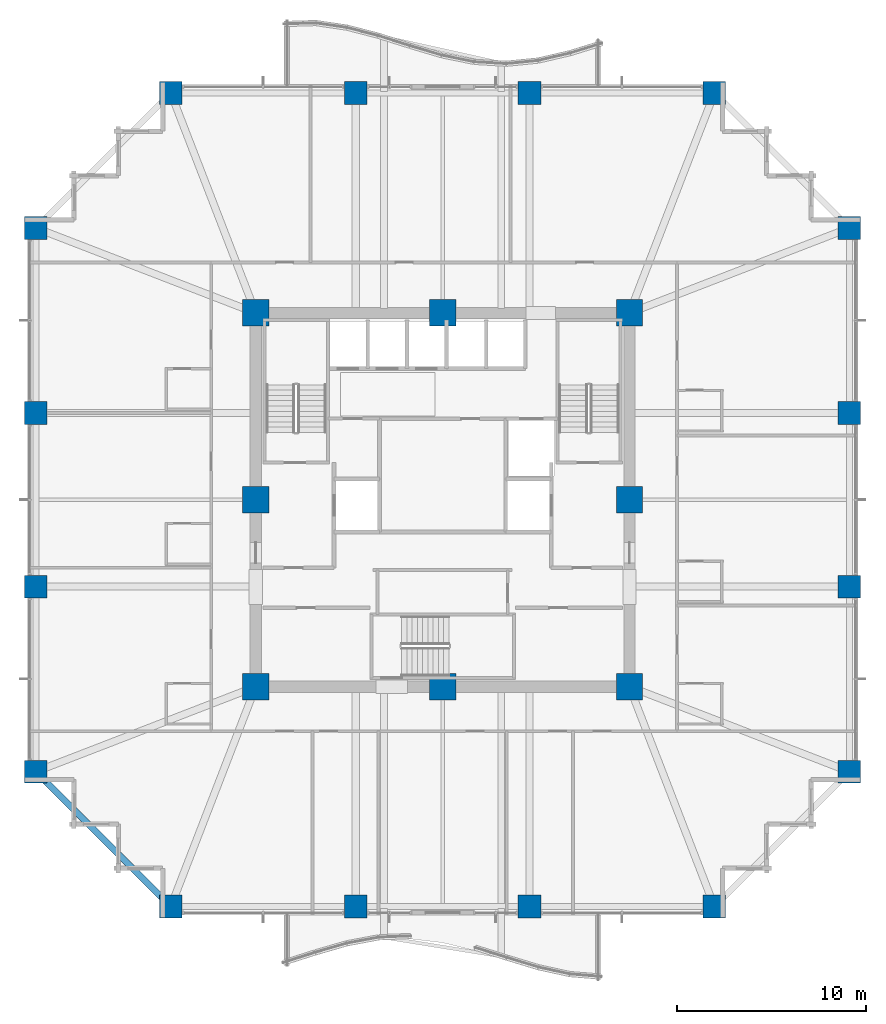
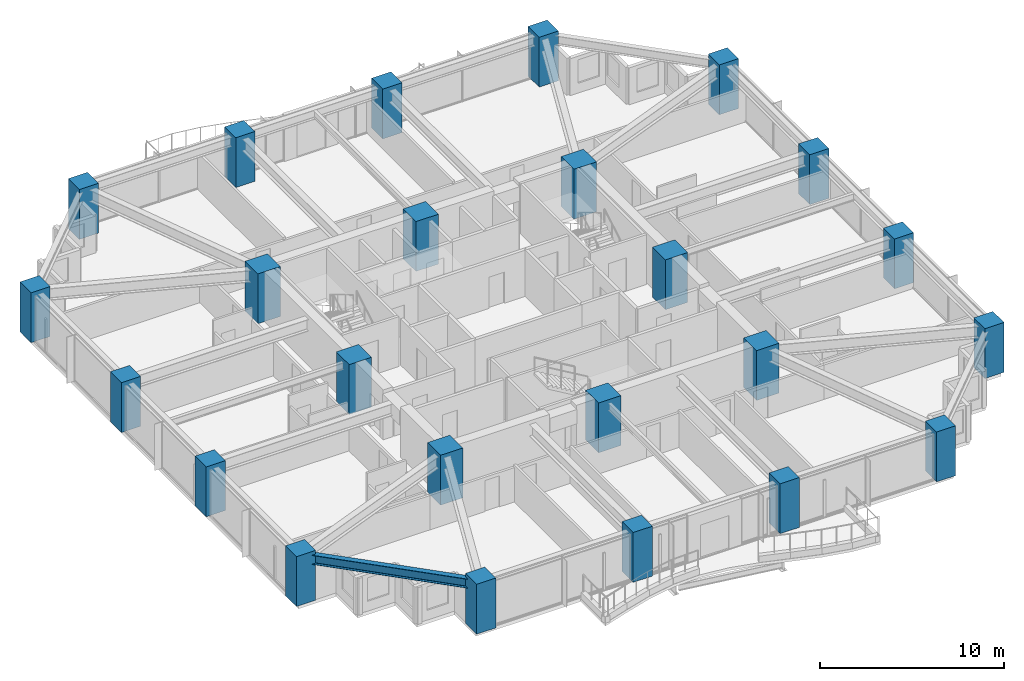
# One storey, part 1 of 38: 24 columns, 1 beam.
"""IFC4 building model written with IfcOpenShell, lengths in metres."""

from ifc_helpers import new_model, si_unit, direction, frame, origin, origin_2d, place, context, subcontext, project, spatial, rectangle, i_section, extrude, material, material_profile, profile_set, type_object, element, save


model = new_model("IFC4")

# Units and contexts
model_context = context("Model", 3, precision=1e-05, world=origin(), true_north=direction((0.0, 1.0)))
body_context = subcontext(model_context, "Body", "Model", "MODEL_VIEW")
ifc_project = project(units=[si_unit("LENGTHUNIT", "METRE"), si_unit("AREAUNIT", "SQUARE_METRE"), si_unit("VOLUMEUNIT", "CUBIC_METRE"), si_unit("PLANEANGLEUNIT", "RADIAN"), si_unit("MASSUNIT", "GRAM", prefix="KILO")], contexts=[model_context])

# Site, building, storey
site_placement = place(None, origin())
site = spatial("IfcSite", under=ifc_project, at=site_placement, CompositionType="ELEMENT")
building_placement = place(site_placement, origin())
building = spatial("IfcBuilding", under=site, at=building_placement, Name="Kolvaren Belvedere", CompositionType="ELEMENT")
storey_placement = place(building_placement, frame((0.0, 0.0, 30.39990234375)))
storey = spatial("IfcBuildingStorey", under=building, at=storey_placement, Name="L08", CompositionType="ELEMENT", Elevation=30.39990234375)

# Columns
ifc_material_1 = material(Name="Concrete C60/75", Category="concrete")
ifc_material_profile_1 = material_profile(ifc_material_1, rectangle(XDim=1.199951171875, YDim=1.199951171875, at=origin_2d()), Name="RC 1200X1200")
ifc_profile_set_1 = profile_set([ifc_material_profile_1], Name="Concrete C60/75")
column_type_1 = type_object("IfcColumnType", Name="COL-RC-1200", PredefinedType="COLUMN", material=ifc_profile_set_1)
for number, where, z_axis, x_axis, name in (
    (1, (-14.39990234375, -21.550048828125, 0.0), (0.0, 0.0, 1.0), (1.0, 0.0, 0.0), "L08 Perimeter Column S1"),
    (2, (-4.60009765625, -21.550048828125, 0.0), (0.0, 0.0, 1.0), (1.0, 0.0, 0.0), "L08 Perimeter Column S2"),
    (3, (4.60009765625, -21.550048828125, 0.0), (0.0, 0.0, 1.0), (1.0, 0.0, 0.0), "L08 Perimeter Column S3"),
    (4, (14.39990234375, -21.550048828125, 0.0), (0.0, 0.0, 1.0), (1.0, 0.0, 0.0), "L08 Perimeter Column S4"),
    (5, (-14.39990234375, 21.550048828125, 0.0), (0.0, 0.0, 1.0), (1.0, 0.0, 0.0), "L08 Perimeter Column N1"),
    (6, (-4.60009765625, 21.550048828125, 0.0), (0.0, 0.0, 1.0), (1.0, 0.0, 0.0), "L08 Perimeter Column N2"),
    (7, (4.60009765625, 21.550048828125, 0.0), (0.0, 0.0, 1.0), (1.0, 0.0, 0.0), "L08 Perimeter Column N3"),
    (8, (14.39990234375, 21.550048828125, 0.0), (0.0, 0.0, 1.0), (1.0, 0.0, 0.0), "L08 Perimeter Column N4"),
    (9, (-21.550048828125, -14.39990234375, 0.0), (0.0, 0.0, 1.0), (1.0, 0.0, 0.0), "L08 Perimeter Column W1"),
    (10, (-21.550048828125, -4.60009765625, 0.0), (0.0, 0.0, 1.0), (1.0, 0.0, 0.0), "L08 Perimeter Column W2"),
    (11, (-21.550048828125, 4.60009765625, 0.0), (0.0, 0.0, 1.0), (1.0, 0.0, 0.0), "L08 Perimeter Column W3"),
    (12, (-21.550048828125, 14.39990234375, 0.0), (0.0, 0.0, 1.0), (1.0, 0.0, 0.0), "L08 Perimeter Column W4"),
    (13, (21.550048828125, -14.39990234375, 0.0), (0.0, 0.0, 1.0), (1.0, 0.0, 0.0), "L08 Perimeter Column E1"),
    (14, (21.550048828125, -4.60009765625, 0.0), (0.0, 0.0, 1.0), (1.0, 0.0, 0.0), "L08 Perimeter Column E2"),
    (15, (21.550048828125, 4.60009765625, 0.0), (0.0, 0.0, 1.0), (1.0, 0.0, 0.0), "L08 Perimeter Column E3"),
    (16, (21.550048828125, 14.39990234375, 0.0), (0.0, 0.0, 1.0), (1.0, 0.0, 0.0), "L08 Perimeter Column E4"),
):
    element("IfcColumn", number, at=place(storey_placement, frame(where, z_axis=z_axis, x_axis=x_axis)), inside=storey, type_object=column_type_1, Name=name, PredefinedType="COLUMN", context=body_context, shape_type="SweptSolid", body=[
        extrude(rectangle(XDim=1.199951171875, YDim=1.199951171875, at=origin_2d()), origin(), (0.0, 0.0, 1.0), 3.300048828125),
    ])
ifc_material_2 = material(Name="Concrete C60/75", Category="concrete")
ifc_material_profile_2 = material_profile(ifc_material_2, rectangle(XDim=1.39990234375, YDim=1.39990234375, at=origin_2d()), Name="RC 1400X1400")
ifc_profile_set_2 = profile_set([ifc_material_profile_2], Name="Concrete C60/75")
column_type_2 = type_object("IfcColumnType", Name="COL-RC-1400", PredefinedType="COLUMN", material=ifc_profile_set_2)
for number, where, z_axis, x_axis, name in (
    (17, (-9.89990234375, -9.89990234375, 0.0), (0.0, 0.0, 1.0), (1.0, 0.0, 0.0), "L08 Core Column CC1"),
    (18, (9.89990234375, -9.89990234375, 0.0), (0.0, 0.0, 1.0), (1.0, 0.0, 0.0), "L08 Core Column CC2"),
    (19, (9.89990234375, 9.89990234375, 0.0), (0.0, 0.0, 1.0), (1.0, 0.0, 0.0), "L08 Core Column CC3"),
    (20, (-9.89990234375, 9.89990234375, 0.0), (0.0, 0.0, 1.0), (1.0, 0.0, 0.0), "L08 Core Column CC4"),
    (21, (0.0, -9.89990234375, 0.0), (0.0, 0.0, 1.0), (1.0, 0.0, 0.0), "L08 Core Column CM1"),
    (22, (9.89990234375, 0.0, 0.0), (0.0, 0.0, 1.0), (1.0, 0.0, 0.0), "L08 Core Column CM2"),
    (23, (0.0, 9.89990234375, 0.0), (0.0, 0.0, 1.0), (1.0, 0.0, 0.0), "L08 Core Column CM3"),
    (24, (-9.89990234375, 0.0, 0.0), (0.0, 0.0, 1.0), (1.0, 0.0, 0.0), "L08 Core Column CM4"),
):
    element("IfcColumn", number, at=place(storey_placement, frame(where, z_axis=z_axis, x_axis=x_axis)), inside=storey, type_object=column_type_2, Name=name, PredefinedType="COLUMN", context=body_context, shape_type="SweptSolid", body=[
        extrude(rectangle(XDim=1.39990234375, YDim=1.39990234375, at=origin_2d()), origin(), (0.0, 0.0, 1.0), 3.300048828125),
    ])

# Beam
ifc_material_3 = material(Name="Structural steel ASTM A992 Grade 50", Category="steel")
ifc_material_profile_3 = material_profile(ifc_material_3, i_section(OverallWidth=0.324951171875, OverallDepth=0.615966796875, WebThickness=0.013916015625, FlangeThickness=0.021484375, FilletRadius=0.02001953125, at=origin_2d()), Name="W24X117")
ifc_profile_set_3 = profile_set([ifc_material_profile_3], Name="Structural steel ASTM A992 Grade 50")
beam_type = type_object("IfcBeamType", Name="BM-SPAN-W24X117", PredefinedType="SPANDREL", material=ifc_profile_set_3)
beam_placement = place(storey_placement, frame((-21.359130859375, -14.5908203125, 2.752197265625), z_axis=(0.707106781187, -0.707106781187, 0.0), x_axis=(0.707106781187, 0.707106781187, 0.0)))
element("IfcBeam", 25, at=beam_placement, inside=storey, type_object=beam_type, Name="L08 Perimeter Spandrel W1-S1", PredefinedType="SPANDREL", context=body_context, shape_type="SweptSolid", body=[
    extrude(i_section(OverallWidth=0.324951171875, OverallDepth=0.615966796875, WebThickness=0.013916015625, FlangeThickness=0.021484375, FilletRadius=0.02001953125, at=origin_2d()), origin(), (0.0, 0.0, 1.0), 9.57177734375),
])

save(model, "model.ifc")
